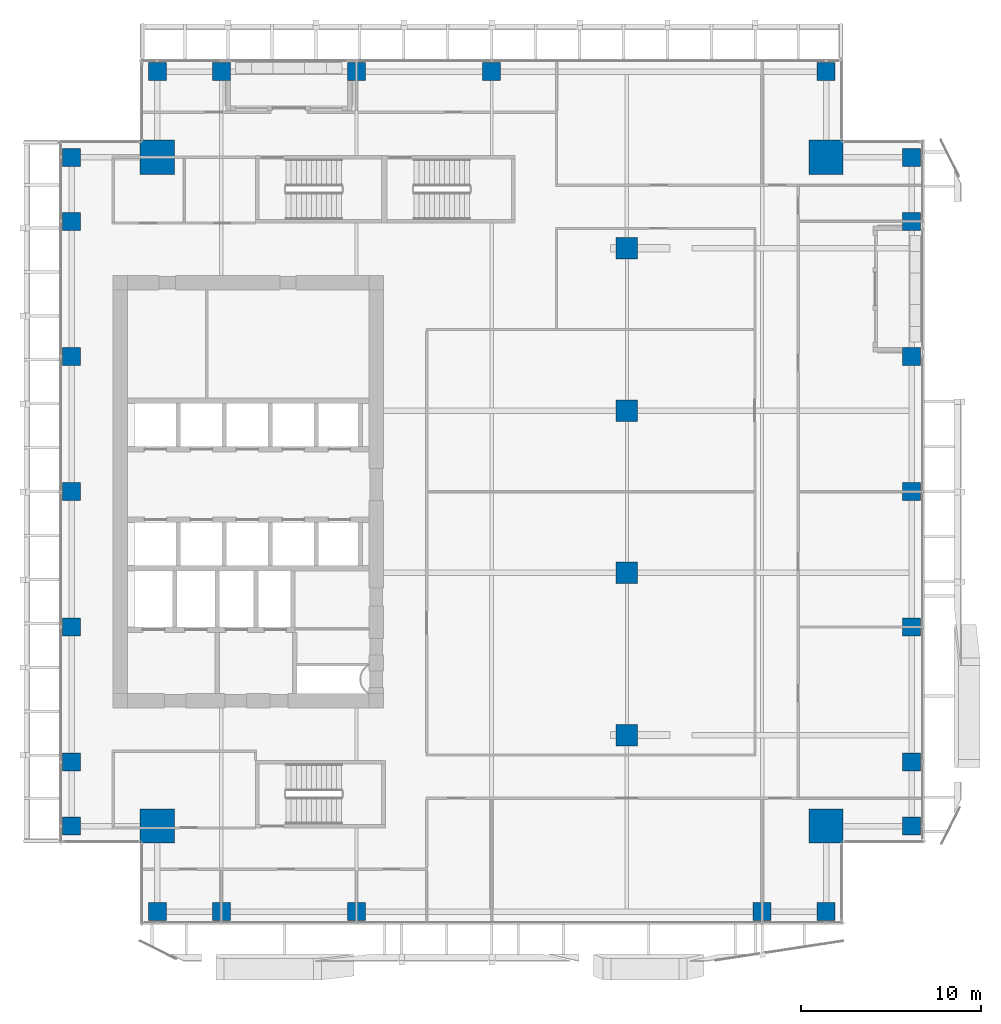
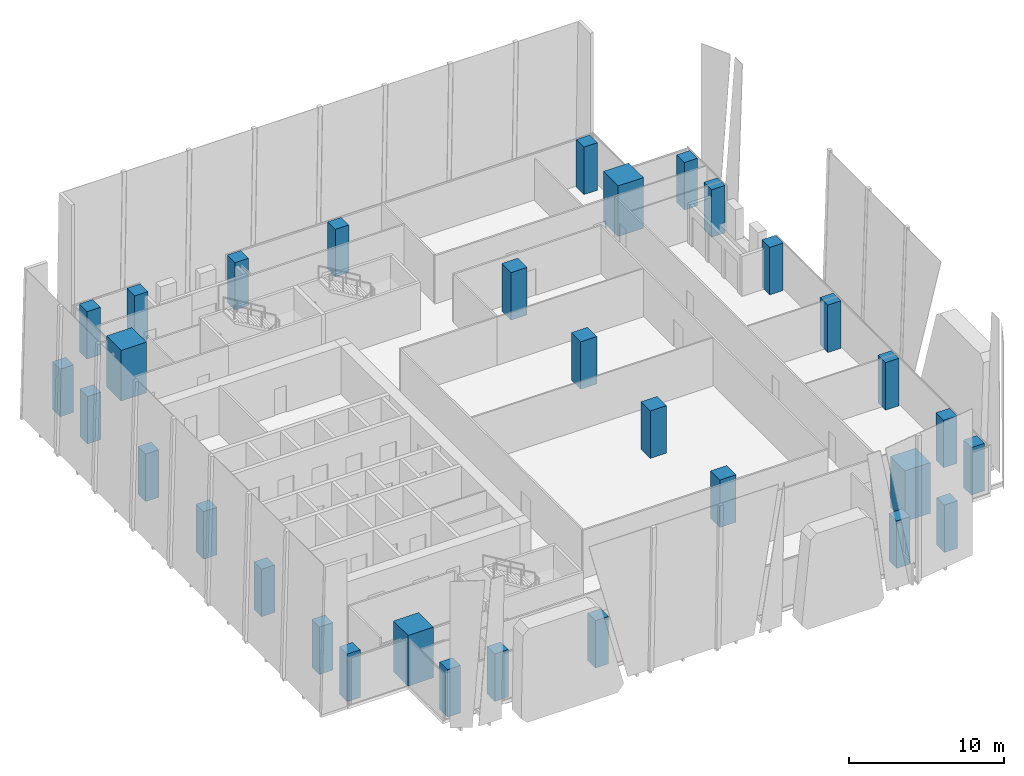
# One storey, part 1 of 35: 32 columns.
"""IFC4 building model written with IfcOpenShell, lengths in metres."""

import ifcopenshell
import ifcopenshell.guid

model = None  # the IFC model being written
_history = None  # IfcOwnerHistory: only IFC2X3 demands one
_inside = {}  # id of a spatial element -> (the spatial element, [elements in it])
_under = {}  # id of a project, library or spatial element -> (it, [spatial elements below it])
_declared = {}  # id of a project -> (the project, [libraries it declares])
_typed = {}  # id of a type object -> (the type object, [elements of that type])
_made_of = {}  # id of a material, layer set ... -> (it, [elements and type objects made of it])


def new_model(schema):
    """Start an empty IFC model of exactly this schema.

    Asked for "IFC4X3", IfcOpenShell would pick the latest addendum, in which some entities
    have other attributes; the version numbers below select the first issue.
    IFC2X3 requires an IfcOwnerHistory on every rooted entity: one is made here for all.
    """
    global model, _history
    if schema == "IFC4X3":
        model = ifcopenshell.file(schema_version=(4, 3, 0, 0))
    else:
        model = ifcopenshell.file(schema=schema)
    _inside.clear()
    _under.clear()
    _declared.clear()
    _typed.clear()
    _made_of.clear()
    _history = None
    if model.schema == "IFC2X3":
        org = make("IfcOrganization", Name="unknown")
        user = make(
            "IfcPersonAndOrganization",
            ThePerson=make("IfcPerson", FamilyName="unknown"),
            TheOrganization=org,
        )
        app = make(
            "IfcApplication",
            ApplicationDeveloper=org,
            Version="unknown",
            ApplicationFullName="unknown",
            ApplicationIdentifier="unknown",
        )
        _history = make(
            "IfcOwnerHistory",
            OwningUser=user,
            OwningApplication=app,
            ChangeAction="ADDED",
            CreationDate=0,
        )
    return model


def make(cls, **values):
    """One entity of the class cls with the attributes given. An attribute that is None is left unset."""
    return model.create_entity(
        cls, **{name: value for name, value in values.items() if value is not None}
    )


def rooted(cls, **values):
    """An entity with a GlobalId (a new one), such as an element, a storey or a relation."""
    return make(cls, GlobalId=ifcopenshell.guid.new(), OwnerHistory=_history, **values)


def si_unit(unit_type, name, prefix=None):
    """IfcSIUnit, for example si_unit("LENGTHUNIT", "METRE", prefix="MILLI")."""
    return make("IfcSIUnit", UnitType=unit_type, Prefix=prefix, Name=name)


def assignment(units):
    """IfcUnitAssignment: the units of a project."""
    return None if units is None else make("IfcUnitAssignment", Units=units)


def point(xyz):
    """IfcCartesianPoint."""
    return None if xyz is None else make("IfcCartesianPoint", Coordinates=xyz)


def direction(xyz):
    """IfcDirection."""
    return None if xyz is None else make("IfcDirection", DirectionRatios=xyz)


def frame(location, z_axis=None, x_axis=None):
    """IfcAxis2Placement3D, a coordinate frame: its origin and axes. An axis left out is left unset."""
    return make(
        "IfcAxis2Placement3D",
        Location=point(location),
        Axis=direction(z_axis),
        RefDirection=direction(x_axis),
    )


def frame_2d(location, x_axis=None):
    """IfcAxis2Placement2D, a coordinate frame in the plane: its origin and x axis."""
    return make(
        "IfcAxis2Placement2D", Location=point(location), RefDirection=direction(x_axis)
    )


def origin():
    """The frame at (0, 0, 0) with its axes left unset."""
    return frame((0.0, 0.0, 0.0))


def origin_2d():
    """The frame at (0, 0) in the plane with its x axis left unset."""
    return frame_2d((0.0, 0.0))


def place(relative_to, where):
    """IfcLocalPlacement: puts the frame where relative to a parent placement (None: the world)."""
    return make(
        "IfcLocalPlacement", PlacementRelTo=relative_to, RelativePlacement=where
    )


def context(
    kind, dimensions, precision=None, world=None, true_north=None, identifier=None
):
    """IfcGeometricRepresentationContext, for example the 3D "Model" context."""
    return make(
        "IfcGeometricRepresentationContext",
        ContextIdentifier=identifier,
        ContextType=kind,
        CoordinateSpaceDimension=dimensions,
        Precision=precision,
        WorldCoordinateSystem=world,
        TrueNorth=true_north,
    )


def subcontext(parent, identifier, kind, view, scale=None):
    """IfcGeometricRepresentationSubContext, for example "Body" below "Model"."""
    return make(
        "IfcGeometricRepresentationSubContext",
        ContextIdentifier=identifier,
        ContextType=kind,
        ParentContext=parent,
        TargetScale=scale,
        TargetView=view,
    )


def project(units=None, contexts=None):
    """IfcProject with its units and contexts."""
    return rooted(
        "IfcProject",
        Name="project",
        RepresentationContexts=contexts,
        UnitsInContext=assignment(units),
    )


def spatial(cls, under=None, at=None, **own):
    """A site, building, storey or space (cls), placed at a placement, below another one or the project."""
    s = rooted(cls, ObjectPlacement=at, **own)
    if under is not None:
        _under.setdefault(under.id(), (under, []))[1].append(s)
    return s


def profile(cls, at=None, kind="AREA", **sizes):
    """A parametric profile (cls). Its sizes go by their IFC names, for example OverallWidth=200.0."""
    return make(cls, ProfileType=kind, Position=at, **sizes)


def rectangle(**sizes):
    """IfcRectangleProfileDef."""
    return profile("IfcRectangleProfileDef", **sizes)


def extrude(swept, where, along, depth):
    """IfcExtrudedAreaSolid: the profile swept, set in the frame where, extruded along a direction by depth."""
    return make(
        "IfcExtrudedAreaSolid",
        SweptArea=swept,
        Position=where,
        ExtrudedDirection=direction(along),
        Depth=depth,
    )


def shape(context_of_items, identifier, shape_type, items):
    """IfcShapeRepresentation: the items that make up one representation, for example the "Body"."""
    return make(
        "IfcShapeRepresentation",
        ContextOfItems=context_of_items,
        RepresentationIdentifier=identifier,
        RepresentationType=shape_type,
        Items=items,
    )


def source(mapping_origin, context_of_items, identifier, shape_type, items):
    """IfcRepresentationMap: a shape defined once, which mapped items show again and again."""
    return make(
        "IfcRepresentationMap",
        MappingOrigin=mapping_origin,
        MappedRepresentation=shape(context_of_items, identifier, shape_type, items),
    )


def transform(
    local_origin,
    x_axis=None,
    y_axis=None,
    z_axis=None,
    scale=None,
    scale2=None,
    scale3=None,
    uniform=True,
):
    """IfcCartesianTransformationOperator3D, or its non-uniform kind. x_axis, y_axis, z_axis: its Axis1, 2, 3."""
    if uniform:
        return make(
            "IfcCartesianTransformationOperator3D",
            Axis1=direction(x_axis),
            Axis2=direction(y_axis),
            LocalOrigin=point(local_origin),
            Scale=scale,
            Axis3=direction(z_axis),
        )
    return make(
        "IfcCartesianTransformationOperator3DnonUniform",
        Axis1=direction(x_axis),
        Axis2=direction(y_axis),
        LocalOrigin=point(local_origin),
        Scale=scale,
        Axis3=direction(z_axis),
        Scale2=scale2,
        Scale3=scale3,
    )


def mapped(mapping_source, mapping_target):
    """IfcMappedItem: shows the shape of a source again, moved by a transform."""
    return make(
        "IfcMappedItem", MappingSource=mapping_source, MappingTarget=mapping_target
    )


def material(Name=None, Category=None):
    """IfcMaterial."""
    return make("IfcMaterial", Name=Name, Category=Category)


def material_profile(
    of_material, cross_section, Name=None, Category=None, Priority=None
):
    """IfcMaterialProfile: a cross section and its material."""
    return make(
        "IfcMaterialProfile",
        Name=Name,
        Material=of_material,
        Profile=cross_section,
        Priority=Priority,
        Category=Category,
    )


def profile_set(profiles, Name=None, composite=None):
    """IfcMaterialProfileSet."""
    return make(
        "IfcMaterialProfileSet",
        Name=Name,
        MaterialProfiles=profiles,
        CompositeProfile=composite,
    )


def made_of(thing, what):
    """Note that an element or type object is made of a material, layer set ...; save() writes the relation."""
    if what is not None:
        _made_of.setdefault(what.id(), (what, []))[1].append(thing)
    return thing


def type_object(cls, material=None, **own):
    """A type object (cls), such as IfcWallType, which elements share."""
    return made_of(rooted(cls, **own), material)


def element(
    cls,
    number,
    at=None,
    inside=None,
    cuts=None,
    type_object=None,
    material=None,
    context=None,
    identifier="Body",
    shape_type=None,
    held_by="IfcProductDefinitionShape",
    body=None,
    shapes=None,
    **own,
):
    """One element of the class cls, such as IfcWall. Its Tag is "e" and its number.

    at: its placement. inside: the storey or other place that contains it. cuts: it is an
    opening in that element (IfcRelVoidsElement). A single representation is given by context,
    identifier, shape_type and body (its items); several are given by shapes. held_by: the class
    of the entity that holds the representations. save() writes the other relations.
    """
    e = rooted(cls, Tag="e%d" % number, ObjectPlacement=at, **own)
    if body is not None:
        shapes = [shape(context, identifier, shape_type, body)]
    if shapes is not None:
        e.Representation = make(held_by, Representations=shapes)
    if inside is not None:
        _inside.setdefault(inside.id(), (inside, []))[1].append(e)
    if cuts is not None:
        rooted(
            "IfcRelVoidsElement", RelatingBuildingElement=cuts, RelatedOpeningElement=e
        )
    if type_object is not None:
        _typed.setdefault(type_object.id(), (type_object, []))[1].append(e)
    return made_of(e, material)


def aggregate(whole, parts):
    """IfcRelAggregates: a whole, such as a stair, and the parts it consists of."""
    return rooted("IfcRelAggregates", RelatingObject=whole, RelatedObjects=parts)


def save(model, path):
    """Write the relations noted so far, then the file.

    IfcRelAggregates (storeys below a building ...), IfcRelContainedInSpatialStructure (elements
    in a storey), IfcRelDefinesByType, IfcRelAssociatesMaterial and IfcRelDeclares: one each for
    every whole, place, type object, material and project.
    """
    for whole, parts in _under.values():
        aggregate(whole, parts)
    for where, things in _inside.values():
        rooted(
            "IfcRelContainedInSpatialStructure",
            RelatedElements=things,
            RelatingStructure=where,
        )
    for kind, things in _typed.values():
        rooted("IfcRelDefinesByType", RelatedObjects=things, RelatingType=kind)
    for what, things in _made_of.values():
        rooted("IfcRelAssociatesMaterial", RelatedObjects=things, RelatingMaterial=what)
    for by, libraries in _declared.values():
        rooted("IfcRelDeclares", RelatingContext=by, RelatedDefinitions=libraries)
    model.write(path)


model = new_model("IFC4")

# Units and contexts
model_context = context("Model", 3, precision=1e-05, world=origin(), true_north=direction((0.0, 1.0)))
body_context = subcontext(model_context, "Body", "Model", "MODEL_VIEW")
ifc_project = project(units=[si_unit("LENGTHUNIT", "METRE"), si_unit("AREAUNIT", "SQUARE_METRE"), si_unit("VOLUMEUNIT", "CUBIC_METRE"), si_unit("PLANEANGLEUNIT", "RADIAN"), si_unit("MASSUNIT", "GRAM", prefix="KILO")], contexts=[model_context])

# Site, building, storey
site_placement = place(None, origin())
site = spatial("IfcSite", under=ifc_project, at=site_placement, CompositionType="ELEMENT")
building_placement = place(site_placement, origin())
building = spatial("IfcBuilding", under=site, at=building_placement, Name="Khomas Fold Tower", CompositionType="ELEMENT")
storey_placement = place(building_placement, frame((0.0, 0.0, 188.699951171875)))
storey = spatial("IfcBuildingStorey", under=building, at=storey_placement, Name="L41", CompositionType="ELEMENT", Elevation=188.699951171875)

# Columns
ifc_material_1 = material(Name="Concrete C60/75", Category="concrete")
ifc_material_profile_1 = material_profile(ifc_material_1, rectangle(XDim=1.89990234375, YDim=1.89990234375, at=origin_2d()), Name="RC 1900x1900")
ifc_profile_set_1 = profile_set([ifc_material_profile_1], Name="Concrete C60/75")
column_type_1 = type_object("IfcColumnType", Name="RC 1900x1900 column", PredefinedType="COLUMN", material=ifc_profile_set_1)
shared_shape_1 = source(origin(), body_context, "Body", "SweptSolid", [
    extrude(rectangle(XDim=1.89990234375, YDim=1.89990234375, at=origin_2d()), origin(), (0.0, 0.0, 1.0), 4.0),
])
for number, where, z_axis, x_axis, name in (
    (1, (45.550048828125, 45.550048828125, 0.0), (0.0, 0.0, 1.0), (1.0, 0.0, 0.0), "CM-NE"),
    (2, (8.449951171875, 45.550048828125, 0.0), (0.0, 0.0, 1.0), (1.0, 0.0, 0.0), "CM-NW"),
    (3, (45.550048828125, 8.449951171875, 0.0), (0.0, 0.0, 1.0), (1.0, 0.0, 0.0), "CM-SE"),
    (4, (8.449951171875, 8.449951171875, 0.0), (0.0, 0.0, 1.0), (1.0, 0.0, 0.0), "CM-SW"),
):
    element("IfcColumn", number, at=place(storey_placement, frame(where, z_axis=z_axis, x_axis=x_axis)), inside=storey, type_object=column_type_1, Name=name, PredefinedType="COLUMN", context=body_context, shape_type="MappedRepresentation", body=[
        mapped(shared_shape_1, transform((0.0, 0.0, 0.0))),
    ])
ifc_material_2 = material(Name="Concrete C50/60", Category="concrete")
ifc_material_profile_2 = material_profile(ifc_material_2, rectangle(XDim=1.0, YDim=1.0, at=origin_2d()), Name="RC 1000x1000")
ifc_profile_set_2 = profile_set([ifc_material_profile_2], Name="Concrete C50/60")
column_type_2 = type_object("IfcColumnType", Name="RC 1000x1000 column", PredefinedType="COLUMN", material=ifc_profile_set_2)
shared_shape_2 = source(origin(), body_context, "Body", "SweptSolid", [
    extrude(rectangle(XDim=1.0, YDim=1.0, at=origin_2d()), origin(), (0.0, 0.0, 1.0), 3.75),
])
for number, where, z_axis, x_axis, name in (
    (5, (8.449951171875, 3.699951171875, 0.0), (0.0, 0.0, 1.0), (1.0, 0.0, 0.0), "C-4-SF3"),
    (6, (12.0, 3.699951171875, 0.0), (0.0, 0.0, 1.0), (1.0, 0.0, 0.0), "C-6-SF3"),
    (7, (19.5, 3.699951171875, 0.0), (0.0, 0.0, 1.0), (1.0, 0.0, 0.0), "C-8-SF3"),
    (8, (42.0, 3.699951171875, 0.0), (0.0, 0.0, 1.0), (1.0, 0.0, 0.0), "C-13-SF3"),
    (9, (45.550048828125, 3.699951171875, 0.0), (0.0, 0.0, 1.0), (1.0, 0.0, 0.0), "C-15-SF3"),
    (10, (50.300048828125, 8.449951171875, 0.0), (0.0, 0.0, 1.0), (1.0, 0.0, 0.0), "C-E3-D"),
    (11, (50.300048828125, 12.0, 0.0), (0.0, 0.0, 1.0), (1.0, 0.0, 0.0), "C-E3-F"),
    (12, (50.300048828125, 19.5, 0.0), (0.0, 0.0, 1.0), (1.0, 0.0, 0.0), "C-E3-J"),
    (13, (50.300048828125, 27.0, 0.0), (0.0, 0.0, 1.0), (1.0, 0.0, 0.0), "C-E3-L"),
    (14, (50.300048828125, 34.5, 0.0), (0.0, 0.0, 1.0), (1.0, 0.0, 0.0), "C-E3-N"),
    (15, (50.300048828125, 42.0, 0.0), (0.0, 0.0, 1.0), (1.0, 0.0, 0.0), "C-E3-R"),
    (16, (50.300048828125, 45.550048828125, 0.0), (0.0, 0.0, 1.0), (1.0, 0.0, 0.0), "C-E3-T"),
    (17, (8.449951171875, 50.300048828125, 0.0), (0.0, 0.0, 1.0), (1.0, 0.0, 0.0), "C-4-NF3"),
    (18, (12.0, 50.300048828125, 0.0), (0.0, 0.0, 1.0), (1.0, 0.0, 0.0), "C-6-NF3"),
    (19, (19.5, 50.300048828125, 0.0), (0.0, 0.0, 1.0), (1.0, 0.0, 0.0), "C-8-NF3"),
    (20, (27.0, 50.300048828125, 0.0), (0.0, 0.0, 1.0), (1.0, 0.0, 0.0), "C-9-NF3"),
    (21, (45.550048828125, 50.300048828125, 0.0), (0.0, 0.0, 1.0), (1.0, 0.0, 0.0), "C-15-NF3"),
    (22, (3.699951171875, 8.449951171875, 0.0), (0.0, 0.0, 1.0), (1.0, 0.0, 0.0), "C-W3-D"),
    (23, (3.699951171875, 12.0, 0.0), (0.0, 0.0, 1.0), (1.0, 0.0, 0.0), "C-W3-F"),
    (24, (3.699951171875, 19.5, 0.0), (0.0, 0.0, 1.0), (1.0, 0.0, 0.0), "C-W3-J"),
    (25, (3.699951171875, 27.0, 0.0), (0.0, 0.0, 1.0), (1.0, 0.0, 0.0), "C-W3-L"),
    (26, (3.699951171875, 34.5, 0.0), (0.0, 0.0, 1.0), (1.0, 0.0, 0.0), "C-W3-N"),
    (27, (3.699951171875, 42.0, 0.0), (0.0, 0.0, 1.0), (1.0, 0.0, 0.0), "C-W3-R"),
    (28, (3.699951171875, 45.550048828125, 0.0), (0.0, 0.0, 1.0), (1.0, 0.0, 0.0), "C-W3-T"),
):
    element("IfcColumn", number, at=place(storey_placement, frame(where, z_axis=z_axis, x_axis=x_axis)), inside=storey, type_object=column_type_2, Name=name, PredefinedType="COLUMN", context=body_context, shape_type="MappedRepresentation", body=[
        mapped(shared_shape_2, transform((0.0, 0.0, 0.0))),
    ])
ifc_material_3 = material(Name="Concrete C60/75", Category="concrete")
ifc_material_profile_3 = material_profile(ifc_material_3, rectangle(XDim=1.199951171875, YDim=1.199951171875, at=origin_2d()), Name="RC 1200x1200")
ifc_profile_set_3 = profile_set([ifc_material_profile_3], Name="Concrete C60/75")
column_type_3 = type_object("IfcColumnType", Name="RC 1200x1200 column", PredefinedType="COLUMN", material=ifc_profile_set_3)
shared_shape_3 = source(origin(), body_context, "Body", "SweptSolid", [
    extrude(rectangle(XDim=1.199951171875, YDim=1.199951171875, at=origin_2d()), origin(), (0.0, 0.0, 1.0), 3.75),
])
for number, where, z_axis, x_axis, name in (
    (29, (34.5, 13.5, 0.0), (0.0, 0.0, 1.0), (1.0, 0.0, 0.0), "C-10-H"),
    (30, (34.5, 22.5, 0.0), (0.0, 0.0, 1.0), (1.0, 0.0, 0.0), "C-10-K"),
    (31, (34.5, 31.5, 0.0), (0.0, 0.0, 1.0), (1.0, 0.0, 0.0), "C-10-M"),
    (32, (34.5, 40.5, 0.0), (0.0, 0.0, 1.0), (1.0, 0.0, 0.0), "C-10-P"),
):
    element("IfcColumn", number, at=place(storey_placement, frame(where, z_axis=z_axis, x_axis=x_axis)), inside=storey, type_object=column_type_3, Name=name, PredefinedType="COLUMN", context=body_context, shape_type="MappedRepresentation", body=[
        mapped(shared_shape_3, transform((0.0, 0.0, 0.0))),
    ])

save(model, "model.ifc")
